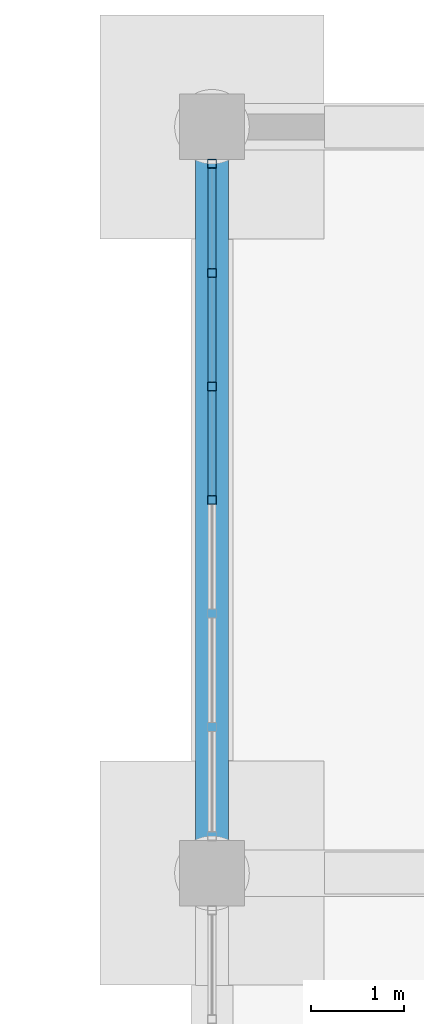
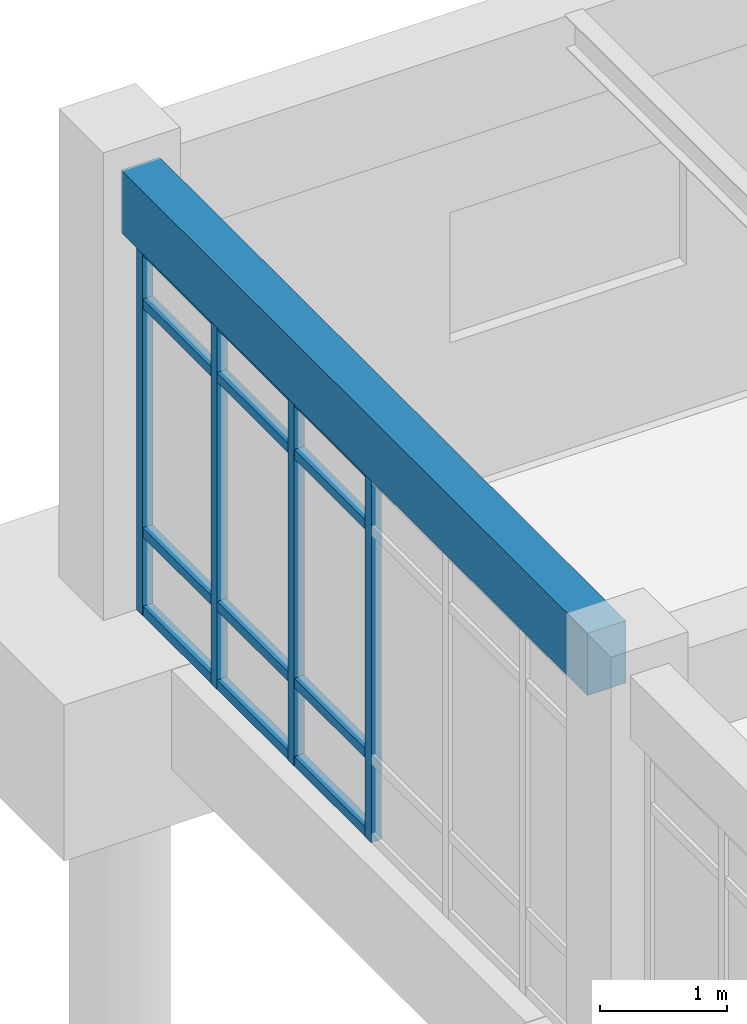
# One storey, part 100 of 153: 16 members, 1 beam, 1 element without a shape of its own.
"""IFC4 building model written with IfcOpenShell, lengths in metres."""

from ifc_helpers import new_model, si_unit, direction, frame, origin, origin_2d, place, context, subcontext, project, spatial, rectangle, hollow_rectangle, extrude, material, material_profile, profile_set, type_object, element, aggregate, save


model = new_model("IFC4")

# Units and contexts
model_context = context("Model", 3, precision=1e-05, world=origin(), true_north=direction((0.0, 1.0)))
body_context = subcontext(model_context, "Body", "Model", "MODEL_VIEW")
ifc_project = project(units=[si_unit("LENGTHUNIT", "METRE"), si_unit("AREAUNIT", "SQUARE_METRE"), si_unit("VOLUMEUNIT", "CUBIC_METRE"), si_unit("PLANEANGLEUNIT", "RADIAN"), si_unit("MASSUNIT", "GRAM", prefix="KILO")], contexts=[model_context])

# Site, building, storey
site_placement = place(None, origin())
site = spatial("IfcSite", under=ifc_project, at=site_placement, CompositionType="ELEMENT")
building_placement = place(site_placement, origin())
building = spatial("IfcBuilding", under=site, at=building_placement, Name="Celadon Cloister-Ring School", CompositionType="ELEMENT")
storey_placement = place(building_placement, origin())
storey = spatial("IfcBuildingStorey", under=building, at=storey_placement, Name="L00", CompositionType="ELEMENT", Elevation=0.0)

# Beam
ifc_material_1 = material(Name="Concrete C35/45", Category="concrete")
ifc_material_profile_1 = material_profile(ifc_material_1, rectangle(XDim=0.35009765625, YDim=0.60009765625, at=origin_2d()), Name="RC350X600")
ifc_profile_set_1 = profile_set([ifc_material_profile_1], Name="Concrete C35/45")
beam_type = type_object("IfcBeamType", Name="BT-02", PredefinedType="BEAM", material=ifc_profile_set_1)
beam_placement = place(storey_placement, frame((142.0, 106.324951171875, 3.9599609375), z_axis=(0.0, 1.0, 0.0), x_axis=(-1.0, 0.0, 0.0)))
element("IfcBeam", 1, at=beam_placement, inside=storey, type_object=beam_type, Name="Beam 1136", PredefinedType="BEAM", context=body_context, shape_type="SweptSolid", body=[
    extrude(rectangle(XDim=0.35009765625, YDim=0.60009765625, at=origin_2d()), origin(), (0.0, 0.0, 1.0), 7.35009765625),
])

# Curtain wall, members
ifc_material_2 = material(Name="Aluminium EN AW-6063 T6", Category="aluminium")
curtain_wall_type = type_object("IfcCurtainWallType", Name="CW-07", PredefinedType="USERDEFINED", material=ifc_material_2)
curtain_wall_placement = place(storey_placement, origin())
curtain_wall = element("IfcCurtainWall", 2, at=curtain_wall_placement, inside=storey, type_object=curtain_wall_type, Name="Curtain Wall 0179", ObjectType="CURTAIN WALL", PredefinedType="USERDEFINED")
ifc_material_3 = material(Name="Aluminium EN AW-6063 T6", Category="aluminium")
ifc_material_profile_2 = material_profile(ifc_material_3, hollow_rectangle(XDim=0.094970703125, YDim=0.094970703125, WallThickness=0.00390625, at=origin_2d()), Name="RHS95X95X4")
ifc_profile_set_2 = profile_set([ifc_material_profile_2], Name="Aluminium EN AW-6063 T6")
member_type_1 = type_object("IfcMemberType", Name="CM-02", PredefinedType="MULLION", material=ifc_profile_set_2)
member_1_placement = place(storey_placement, frame((142.0, 110.0, 0.0), z_axis=(0.0, 0.0, 1.0), x_axis=(-1.0, 0.0, 0.0)))
member_1 = element("IfcMember", 3, at=member_1_placement, type_object=member_type_1, Name="CW-07 mullion 4", PredefinedType="MULLION", context=body_context, shape_type="SweptSolid", body=[
    extrude(hollow_rectangle(XDim=0.094970703125, YDim=0.094970703125, WallThickness=0.00390625, at=origin_2d()), origin(), (0.0, 0.0, 1.0), 3.550048828125),
])
member_2_placement = place(storey_placement, frame((142.0, 111.216552734375, 0.0), z_axis=(0.0, 0.0, 1.0), x_axis=(-1.0, 0.0, 0.0)))
member_2 = element("IfcMember", 4, at=member_2_placement, type_object=member_type_1, Name="CW-07 mullion 5", PredefinedType="MULLION", context=body_context, shape_type="SweptSolid", body=[
    extrude(hollow_rectangle(XDim=0.094970703125, YDim=0.094970703125, WallThickness=0.00390625, at=origin_2d()), origin(), (0.0, 0.0, 1.0), 3.550048828125),
])
member_3_placement = place(storey_placement, frame((142.0, 112.433349609375, 0.0), z_axis=(0.0, 0.0, 1.0), x_axis=(-1.0, 0.0, 0.0)))
member_3 = element("IfcMember", 5, at=member_3_placement, type_object=member_type_1, Name="CW-07 mullion 6", PredefinedType="MULLION", context=body_context, shape_type="SweptSolid", body=[
    extrude(hollow_rectangle(XDim=0.094970703125, YDim=0.094970703125, WallThickness=0.00390625, at=origin_2d()), origin(), (0.0, 0.0, 1.0), 3.550048828125),
])
member_4_placement = place(storey_placement, frame((142.0, 113.6025390625, 0.0), z_axis=(0.0, 0.0, 1.0), x_axis=(-1.0, 0.0, 0.0)))
member_4 = element("IfcMember", 6, at=member_4_placement, type_object=member_type_1, Name="CW-07 mullion 7", PredefinedType="MULLION", context=body_context, shape_type="SweptSolid", body=[
    extrude(hollow_rectangle(XDim=0.094970703125, YDim=0.094970703125, WallThickness=0.00390625, at=origin_2d()), origin(), (0.0, 0.0, 1.0), 3.550048828125),
])
ifc_material_4 = material(Name="Aluminium EN AW-6063 T6", Category="aluminium")
ifc_material_profile_3 = material_profile(ifc_material_4, hollow_rectangle(XDim=0.090087890625, YDim=0.090087890625, WallThickness=0.00390625, at=origin_2d()), Name="RHS90X90X4")
ifc_profile_set_3 = profile_set([ifc_material_profile_3], Name="Aluminium EN AW-6063 T6")
member_type_2 = type_object("IfcMemberType", Name="CTM-02", PredefinedType="USERDEFINED", material=ifc_profile_set_3)
member_5_placement = place(storey_placement, frame((142.0, 110.047607421875, 0.044921875), z_axis=(0.0, 1.0, 0.0), x_axis=(-1.0, 0.0, 0.0)))
member_5 = element("IfcMember", 7, at=member_5_placement, type_object=member_type_2, Name="CW-07 transom 4.1", ObjectType="TRANSOM", PredefinedType="USERDEFINED", context=body_context, shape_type="SweptSolid", body=[
    extrude(hollow_rectangle(XDim=0.090087890625, YDim=0.090087890625, WallThickness=0.00390625, at=origin_2d()), origin(), (0.0, 0.0, 1.0), 1.12158203125),
])
member_6_placement = place(storey_placement, frame((142.0, 110.047607421875, 0.800048828125), z_axis=(0.0, 1.0, 0.0), x_axis=(-1.0, 0.0, 0.0)))
member_6 = element("IfcMember", 8, at=member_6_placement, type_object=member_type_2, Name="CW-07 transom 4.2", ObjectType="TRANSOM", PredefinedType="USERDEFINED", context=body_context, shape_type="SweptSolid", body=[
    extrude(hollow_rectangle(XDim=0.090087890625, YDim=0.090087890625, WallThickness=0.00390625, at=origin_2d()), origin(), (0.0, 0.0, 1.0), 1.12158203125),
])
member_7_placement = place(storey_placement, frame((142.0, 110.047607421875, 3.0), z_axis=(0.0, 1.0, 0.0), x_axis=(-1.0, 0.0, 0.0)))
member_7 = element("IfcMember", 9, at=member_7_placement, type_object=member_type_2, Name="CW-07 transom 4.3", ObjectType="TRANSOM", PredefinedType="USERDEFINED", context=body_context, shape_type="SweptSolid", body=[
    extrude(hollow_rectangle(XDim=0.090087890625, YDim=0.090087890625, WallThickness=0.00390625, at=origin_2d()), origin(), (0.0, 0.0, 1.0), 1.12158203125),
])
member_8_placement = place(storey_placement, frame((142.0, 110.047607421875, 3.5048828125), z_axis=(0.0, 1.0, 0.0), x_axis=(-1.0, 0.0, 0.0)))
member_8 = element("IfcMember", 10, at=member_8_placement, type_object=member_type_2, Name="CW-07 transom 4.4", ObjectType="TRANSOM", PredefinedType="USERDEFINED", context=body_context, shape_type="SweptSolid", body=[
    extrude(hollow_rectangle(XDim=0.090087890625, YDim=0.090087890625, WallThickness=0.00390625, at=origin_2d()), origin(), (0.0, 0.0, 1.0), 1.12158203125),
])
member_9_placement = place(storey_placement, frame((142.0, 111.26416015625, 0.044921875), z_axis=(0.0, 1.0, 0.0), x_axis=(-1.0, 0.0, 0.0)))
member_9 = element("IfcMember", 11, at=member_9_placement, type_object=member_type_2, Name="CW-07 transom 5.1", ObjectType="TRANSOM", PredefinedType="USERDEFINED", context=body_context, shape_type="SweptSolid", body=[
    extrude(hollow_rectangle(XDim=0.090087890625, YDim=0.090087890625, WallThickness=0.00390625, at=origin_2d()), origin(), (0.0, 0.0, 1.0), 1.12158203125),
])
member_10_placement = place(storey_placement, frame((142.0, 111.26416015625, 0.800048828125), z_axis=(0.0, 1.0, 0.0), x_axis=(-1.0, 0.0, 0.0)))
member_10 = element("IfcMember", 12, at=member_10_placement, type_object=member_type_2, Name="CW-07 transom 5.2", ObjectType="TRANSOM", PredefinedType="USERDEFINED", context=body_context, shape_type="SweptSolid", body=[
    extrude(hollow_rectangle(XDim=0.090087890625, YDim=0.090087890625, WallThickness=0.00390625, at=origin_2d()), origin(), (0.0, 0.0, 1.0), 1.12158203125),
])
member_11_placement = place(storey_placement, frame((142.0, 111.26416015625, 3.0), z_axis=(0.0, 1.0, 0.0), x_axis=(-1.0, 0.0, 0.0)))
member_11 = element("IfcMember", 13, at=member_11_placement, type_object=member_type_2, Name="CW-07 transom 5.3", ObjectType="TRANSOM", PredefinedType="USERDEFINED", context=body_context, shape_type="SweptSolid", body=[
    extrude(hollow_rectangle(XDim=0.090087890625, YDim=0.090087890625, WallThickness=0.00390625, at=origin_2d()), origin(), (0.0, 0.0, 1.0), 1.12158203125),
])
member_12_placement = place(storey_placement, frame((142.0, 111.26416015625, 3.5048828125), z_axis=(0.0, 1.0, 0.0), x_axis=(-1.0, 0.0, 0.0)))
member_12 = element("IfcMember", 14, at=member_12_placement, type_object=member_type_2, Name="CW-07 transom 5.4", ObjectType="TRANSOM", PredefinedType="USERDEFINED", context=body_context, shape_type="SweptSolid", body=[
    extrude(hollow_rectangle(XDim=0.090087890625, YDim=0.090087890625, WallThickness=0.00390625, at=origin_2d()), origin(), (0.0, 0.0, 1.0), 1.12158203125),
])
member_13_placement = place(storey_placement, frame((142.0, 112.480712890625, 0.044921875), z_axis=(0.0, 1.0, 0.0), x_axis=(-1.0, 0.0, 0.0)))
member_13 = element("IfcMember", 15, at=member_13_placement, type_object=member_type_2, Name="CW-07 transom 6.1", ObjectType="TRANSOM", PredefinedType="USERDEFINED", context=body_context, shape_type="SweptSolid", body=[
    extrude(hollow_rectangle(XDim=0.090087890625, YDim=0.090087890625, WallThickness=0.00390625, at=origin_2d()), origin(), (0.0, 0.0, 1.0), 1.07421875),
])
member_14_placement = place(storey_placement, frame((142.0, 112.480712890625, 0.800048828125), z_axis=(0.0, 1.0, 0.0), x_axis=(-1.0, 0.0, 0.0)))
member_14 = element("IfcMember", 16, at=member_14_placement, type_object=member_type_2, Name="CW-07 transom 6.2", ObjectType="TRANSOM", PredefinedType="USERDEFINED", context=body_context, shape_type="SweptSolid", body=[
    extrude(hollow_rectangle(XDim=0.090087890625, YDim=0.090087890625, WallThickness=0.00390625, at=origin_2d()), origin(), (0.0, 0.0, 1.0), 1.07421875),
])
member_15_placement = place(storey_placement, frame((142.0, 112.480712890625, 3.0), z_axis=(0.0, 1.0, 0.0), x_axis=(-1.0, 0.0, 0.0)))
member_15 = element("IfcMember", 17, at=member_15_placement, type_object=member_type_2, Name="CW-07 transom 6.3", ObjectType="TRANSOM", PredefinedType="USERDEFINED", context=body_context, shape_type="SweptSolid", body=[
    extrude(hollow_rectangle(XDim=0.090087890625, YDim=0.090087890625, WallThickness=0.00390625, at=origin_2d()), origin(), (0.0, 0.0, 1.0), 1.07421875),
])
member_16_placement = place(storey_placement, frame((142.0, 112.480712890625, 3.5048828125), z_axis=(0.0, 1.0, 0.0), x_axis=(-1.0, 0.0, 0.0)))
member_16 = element("IfcMember", 18, at=member_16_placement, type_object=member_type_2, Name="CW-07 transom 6.4", ObjectType="TRANSOM", PredefinedType="USERDEFINED", context=body_context, shape_type="SweptSolid", body=[
    extrude(hollow_rectangle(XDim=0.090087890625, YDim=0.090087890625, WallThickness=0.00390625, at=origin_2d()), origin(), (0.0, 0.0, 1.0), 1.07421875),
])
aggregate(curtain_wall, [member_1, member_2, member_3, member_4, member_5, member_6, member_7, member_8, member_9, member_10, member_11, member_12, member_13, member_14, member_15, member_16])

save(model, "model.ifc")
